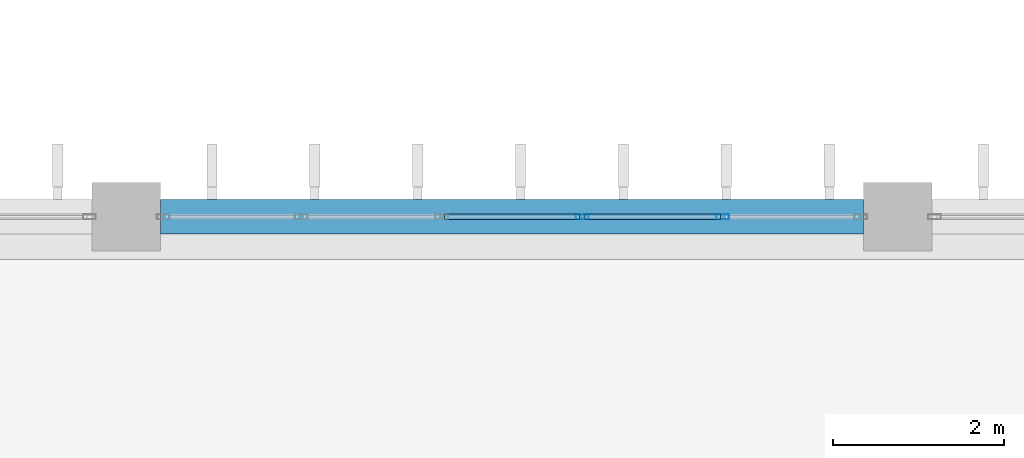
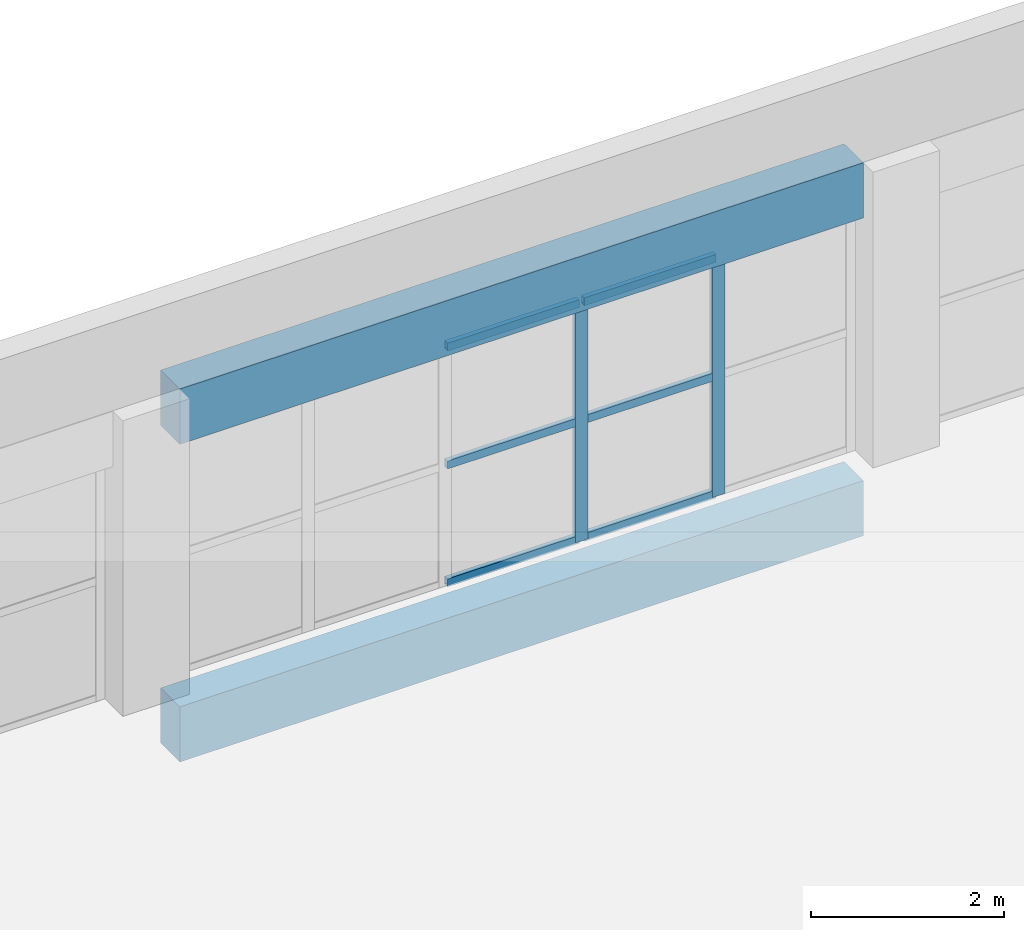
# One storey, part 57 of 185: 8 members, 2 beams, 1 element without a shape of its own.
"""IFC4 building model written with IfcOpenShell, lengths in metres."""

from ifc_helpers import new_model, si_unit, direction, frame, origin, origin_2d, place, context, subcontext, project, spatial, rectangle, hollow_rectangle, extrude, material, layer, layer_set, material_profile, profile_set, type_object, element, aggregate, save


model = new_model("IFC4")

# Units and contexts
model_context = context("Model", 3, precision=1e-05, world=origin(), true_north=direction((0.0, 1.0)))
body_context = subcontext(model_context, "Body", "Model", "MODEL_VIEW")
ifc_project = project(units=[si_unit("LENGTHUNIT", "METRE"), si_unit("AREAUNIT", "SQUARE_METRE"), si_unit("VOLUMEUNIT", "CUBIC_METRE"), si_unit("PLANEANGLEUNIT", "RADIAN"), si_unit("MASSUNIT", "GRAM", prefix="KILO")], contexts=[model_context])

# Site, building, storey
site_placement = place(None, origin())
site = spatial("IfcSite", under=ifc_project, at=site_placement, CompositionType="ELEMENT")
building_placement = place(site_placement, origin())
building = spatial("IfcBuilding", under=site, at=building_placement, Name="Opaline Strait Convention Centre", CompositionType="ELEMENT")
storey_placement = place(building_placement, frame((0.0, 0.0, 6.0)))
storey = spatial("IfcBuildingStorey", under=building, at=storey_placement, Name="L01", CompositionType="ELEMENT", Elevation=6.0)

# Curtain wall, members
ifc_material_1 = material(Name="Aluminium 6063-T5", Category="aluminium")
ifc_layer = layer(ifc_material_1, 0.199951171875)
ifc_layer_set = layer_set([ifc_layer], Name="Aluminium 6063-T5")
curtain_wall_type = type_object("IfcCurtainWallType", Name="Unitised curtain wall 1640 module", PredefinedType="NOTDEFINED", material=ifc_layer_set)
curtain_wall_placement = place(storey_placement, origin())
curtain_wall = element("IfcCurtainWall", 1, at=curtain_wall_placement, inside=storey, type_object=curtain_wall_type, Name="Ballroom north curtain wall L01 bay 3", PredefinedType="NOTDEFINED")
ifc_material_2 = material(Name="Aluminium alloy 6063", Category="aluminium")
ifc_material_profile_1 = material_profile(ifc_material_2, hollow_rectangle(XDim=0.06005859375, YDim=0.14990234375, WallThickness=0.00390625, at=origin_2d()), Name="MULLION 60x150x4")
ifc_profile_set_1 = profile_set([ifc_material_profile_1], Name="Aluminium alloy 6063")
member_type_1 = type_object("IfcMemberType", Name="Curtain wall mullion 60 x 150", PredefinedType="MULLION", material=ifc_profile_set_1)
member_1_placement = place(storey_placement, frame((311.320068359375, 72.0, 0.0), z_axis=(0.0, 0.0, 1.0), x_axis=(0.0, 1.0, 0.0)))
member_1 = element("IfcMember", 2, at=member_1_placement, type_object=member_type_1, Name="BG2 mullion 4", PredefinedType="MULLION", context=body_context, shape_type="SweptSolid", body=[
    extrude(hollow_rectangle(XDim=0.06005859375, YDim=0.14990234375, WallThickness=0.00390625, at=origin_2d()), origin(), (0.0, 0.0, 1.0), 3.050048828125),
])
member_2_placement = place(storey_placement, frame((312.9599609375, 72.0, 0.0), z_axis=(0.0, 0.0, 1.0), x_axis=(0.0, 1.0, 0.0)))
member_2 = element("IfcMember", 3, at=member_2_placement, type_object=member_type_1, Name="BG2 mullion 5", PredefinedType="MULLION", context=body_context, shape_type="SweptSolid", body=[
    extrude(hollow_rectangle(XDim=0.06005859375, YDim=0.14990234375, WallThickness=0.00390625, at=origin_2d()), origin(), (0.0, 0.0, 1.0), 3.050048828125),
])
ifc_material_profile_2 = material_profile(ifc_material_2, hollow_rectangle(XDim=0.06005859375, YDim=0.10009765625, WallThickness=0.0029296875, at=origin_2d()), Name="TRANSOM 60x100x3")
ifc_profile_set_2 = profile_set([ifc_material_profile_2], Name="Aluminium alloy 6063")
member_type_2 = type_object("IfcMemberType", Name="Curtain wall transom 60 x 100", PredefinedType="USERDEFINED", material=ifc_profile_set_2)
member_3_placement = place(storey_placement, frame((309.7099609375, 72.0, 0.030029296875), z_axis=(1.0, 0.0, 0.0), x_axis=(0.0, 1.0, 0.0)))
member_3 = element("IfcMember", 4, at=member_3_placement, type_object=member_type_2, Name="BG2 transom 3.1", ObjectType="TRANSOM", PredefinedType="USERDEFINED", context=body_context, shape_type="SweptSolid", body=[
    extrude(hollow_rectangle(XDim=0.06005859375, YDim=0.10009765625, WallThickness=0.0029296875, at=origin_2d()), origin(), (0.0, 0.0, 1.0), 1.580078125),
])
member_4_placement = place(storey_placement, frame((309.7099609375, 72.0, 1.52490234375), z_axis=(1.0, 0.0, 0.0), x_axis=(0.0, 1.0, 0.0)))
member_4 = element("IfcMember", 5, at=member_4_placement, type_object=member_type_2, Name="BG2 transom 3.2", ObjectType="TRANSOM", PredefinedType="USERDEFINED", context=body_context, shape_type="SweptSolid", body=[
    extrude(hollow_rectangle(XDim=0.06005859375, YDim=0.10009765625, WallThickness=0.0029296875, at=origin_2d()), origin(), (0.0, 0.0, 1.0), 1.580078125),
])
member_5_placement = place(storey_placement, frame((309.7099609375, 72.0, 3.02001953125), z_axis=(1.0, 0.0, 0.0), x_axis=(0.0, 1.0, 0.0)))
member_5 = element("IfcMember", 6, at=member_5_placement, type_object=member_type_2, Name="BG2 transom 3.3", ObjectType="TRANSOM", PredefinedType="USERDEFINED", context=body_context, shape_type="SweptSolid", body=[
    extrude(hollow_rectangle(XDim=0.06005859375, YDim=0.10009765625, WallThickness=0.0029296875, at=origin_2d()), origin(), (0.0, 0.0, 1.0), 1.580078125),
])
member_6_placement = place(storey_placement, frame((311.35009765625, 72.0, 0.030029296875), z_axis=(1.0, 0.0, 0.0), x_axis=(0.0, 1.0, 0.0)))
member_6 = element("IfcMember", 7, at=member_6_placement, type_object=member_type_2, Name="BG2 transom 4.1", ObjectType="TRANSOM", PredefinedType="USERDEFINED", context=body_context, shape_type="SweptSolid", body=[
    extrude(hollow_rectangle(XDim=0.06005859375, YDim=0.10009765625, WallThickness=0.0029296875, at=origin_2d()), origin(), (0.0, 0.0, 1.0), 1.580078125),
])
member_7_placement = place(storey_placement, frame((311.35009765625, 72.0, 1.52490234375), z_axis=(1.0, 0.0, 0.0), x_axis=(0.0, 1.0, 0.0)))
member_7 = element("IfcMember", 8, at=member_7_placement, type_object=member_type_2, Name="BG2 transom 4.2", ObjectType="TRANSOM", PredefinedType="USERDEFINED", context=body_context, shape_type="SweptSolid", body=[
    extrude(hollow_rectangle(XDim=0.06005859375, YDim=0.10009765625, WallThickness=0.0029296875, at=origin_2d()), origin(), (0.0, 0.0, 1.0), 1.580078125),
])
member_8_placement = place(storey_placement, frame((311.35009765625, 72.0, 3.02001953125), z_axis=(1.0, 0.0, 0.0), x_axis=(0.0, 1.0, 0.0)))
member_8 = element("IfcMember", 9, at=member_8_placement, type_object=member_type_2, Name="BG2 transom 4.3", ObjectType="TRANSOM", PredefinedType="USERDEFINED", context=body_context, shape_type="SweptSolid", body=[
    extrude(hollow_rectangle(XDim=0.06005859375, YDim=0.10009765625, WallThickness=0.0029296875, at=origin_2d()), origin(), (0.0, 0.0, 1.0), 1.580078125),
])
aggregate(curtain_wall, [member_1, member_2, member_3, member_4, member_5, member_6, member_7, member_8])

# Beams
ifc_material_3 = material(Name="Concrete C35", Category="concrete")
ifc_material_profile_3 = material_profile(ifc_material_3, rectangle(XDim=0.39990234375, YDim=0.699951171875, at=origin_2d()), Name="RC 400x700")
ifc_profile_set_3 = profile_set([ifc_material_profile_3], Name="Concrete C35")
beam_type = type_object("IfcBeamType", Name="RC girder 400x700 C35", PredefinedType="BEAM", material=ifc_profile_set_3)
for number, where, z_axis, x_axis, name in (
    (10, (306.39990234375, 72.0, -0.6298828125), (1.0, 0.0, 0.0), (0.0, 1.0, 0.0), "BB1 girder 35/J-36/J F"),
    (11, (306.39990234375, 72.0, 3.39990234375), (1.0, 0.0, 0.0), (0.0, 1.0, 0.0), "BB1 girder 35/J-36/J R"),
):
    element("IfcBeam", number, at=place(storey_placement, frame(where, z_axis=z_axis, x_axis=x_axis)), inside=storey, type_object=beam_type, Name=name, PredefinedType="BEAM", context=body_context, shape_type="SweptSolid", body=[
        extrude(rectangle(XDim=0.39990234375, YDim=0.699951171875, at=origin_2d()), origin(), (0.0, 0.0, 1.0), 8.2001953125),
    ])

save(model, "model.ifc")
